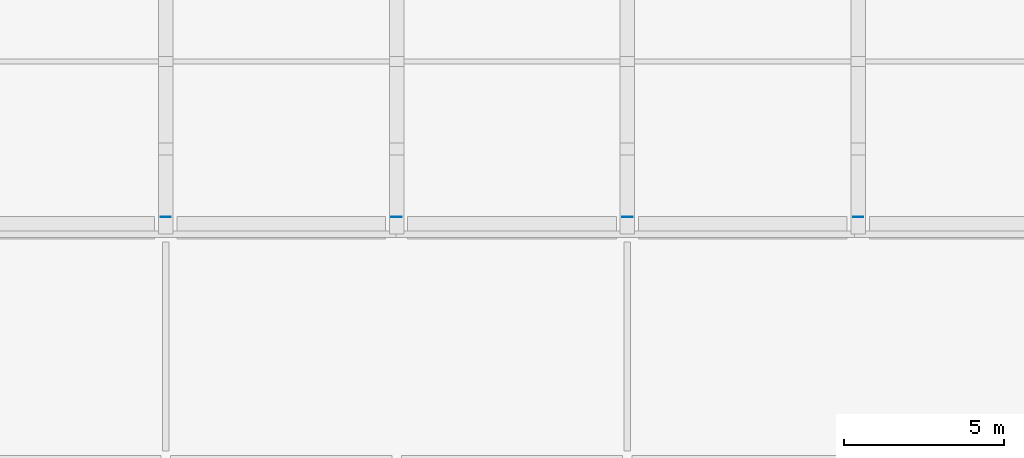
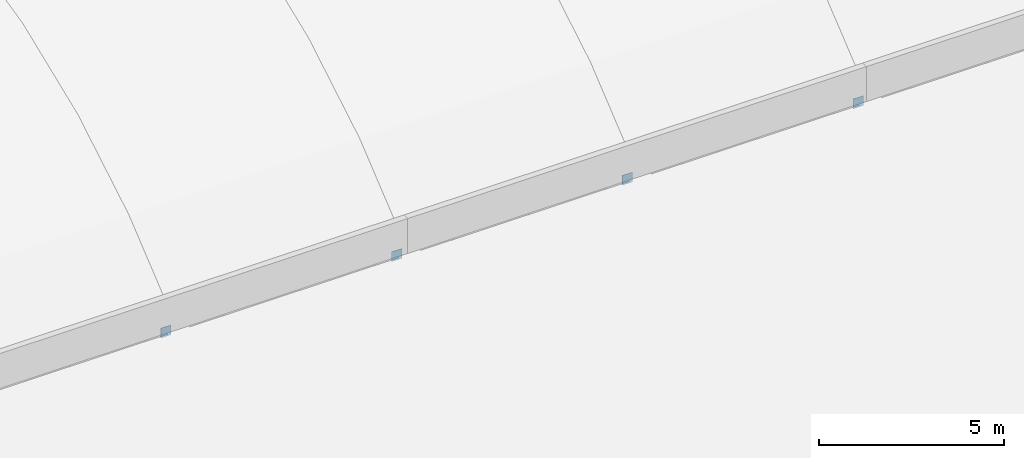
# One storey, part 43 of 71: 4 plates.
"""IFC4 building model written with IfcOpenShell, lengths in metres."""

import ifcopenshell
import ifcopenshell.guid

model = None  # the IFC model being written
_history = None  # IfcOwnerHistory: only IFC2X3 demands one
_inside = {}  # id of a spatial element -> (the spatial element, [elements in it])
_under = {}  # id of a project, library or spatial element -> (it, [spatial elements below it])
_declared = {}  # id of a project -> (the project, [libraries it declares])
_typed = {}  # id of a type object -> (the type object, [elements of that type])
_made_of = {}  # id of a material, layer set ... -> (it, [elements and type objects made of it])


def new_model(schema):
    """Start an empty IFC model of exactly this schema.

    Asked for "IFC4X3", IfcOpenShell would pick the latest addendum, in which some entities
    have other attributes; the version numbers below select the first issue.
    IFC2X3 requires an IfcOwnerHistory on every rooted entity: one is made here for all.
    """
    global model, _history
    if schema == "IFC4X3":
        model = ifcopenshell.file(schema_version=(4, 3, 0, 0))
    else:
        model = ifcopenshell.file(schema=schema)
    _inside.clear()
    _under.clear()
    _declared.clear()
    _typed.clear()
    _made_of.clear()
    _history = None
    if model.schema == "IFC2X3":
        org = make("IfcOrganization", Name="unknown")
        user = make(
            "IfcPersonAndOrganization",
            ThePerson=make("IfcPerson", FamilyName="unknown"),
            TheOrganization=org,
        )
        app = make(
            "IfcApplication",
            ApplicationDeveloper=org,
            Version="unknown",
            ApplicationFullName="unknown",
            ApplicationIdentifier="unknown",
        )
        _history = make(
            "IfcOwnerHistory",
            OwningUser=user,
            OwningApplication=app,
            ChangeAction="ADDED",
            CreationDate=0,
        )
    return model


def make(cls, **values):
    """One entity of the class cls with the attributes given. An attribute that is None is left unset."""
    return model.create_entity(
        cls, **{name: value for name, value in values.items() if value is not None}
    )


def rooted(cls, **values):
    """An entity with a GlobalId (a new one), such as an element, a storey or a relation."""
    return make(cls, GlobalId=ifcopenshell.guid.new(), OwnerHistory=_history, **values)


def si_unit(unit_type, name, prefix=None):
    """IfcSIUnit, for example si_unit("LENGTHUNIT", "METRE", prefix="MILLI")."""
    return make("IfcSIUnit", UnitType=unit_type, Prefix=prefix, Name=name)


def assignment(units):
    """IfcUnitAssignment: the units of a project."""
    return None if units is None else make("IfcUnitAssignment", Units=units)


def point(xyz):
    """IfcCartesianPoint."""
    return None if xyz is None else make("IfcCartesianPoint", Coordinates=xyz)


def direction(xyz):
    """IfcDirection."""
    return None if xyz is None else make("IfcDirection", DirectionRatios=xyz)


def frame(location, z_axis=None, x_axis=None):
    """IfcAxis2Placement3D, a coordinate frame: its origin and axes. An axis left out is left unset."""
    return make(
        "IfcAxis2Placement3D",
        Location=point(location),
        Axis=direction(z_axis),
        RefDirection=direction(x_axis),
    )


def frame_2d(location, x_axis=None):
    """IfcAxis2Placement2D, a coordinate frame in the plane: its origin and x axis."""
    return make(
        "IfcAxis2Placement2D", Location=point(location), RefDirection=direction(x_axis)
    )


def origin():
    """The frame at (0, 0, 0) with its axes left unset."""
    return frame((0.0, 0.0, 0.0))


def origin_2d():
    """The frame at (0, 0) in the plane with its x axis left unset."""
    return frame_2d((0.0, 0.0))


def place(relative_to, where):
    """IfcLocalPlacement: puts the frame where relative to a parent placement (None: the world)."""
    return make(
        "IfcLocalPlacement", PlacementRelTo=relative_to, RelativePlacement=where
    )


def context(
    kind, dimensions, precision=None, world=None, true_north=None, identifier=None
):
    """IfcGeometricRepresentationContext, for example the 3D "Model" context."""
    return make(
        "IfcGeometricRepresentationContext",
        ContextIdentifier=identifier,
        ContextType=kind,
        CoordinateSpaceDimension=dimensions,
        Precision=precision,
        WorldCoordinateSystem=world,
        TrueNorth=true_north,
    )


def subcontext(parent, identifier, kind, view, scale=None):
    """IfcGeometricRepresentationSubContext, for example "Body" below "Model"."""
    return make(
        "IfcGeometricRepresentationSubContext",
        ContextIdentifier=identifier,
        ContextType=kind,
        ParentContext=parent,
        TargetScale=scale,
        TargetView=view,
    )


def project(units=None, contexts=None):
    """IfcProject with its units and contexts."""
    return rooted(
        "IfcProject",
        Name="project",
        RepresentationContexts=contexts,
        UnitsInContext=assignment(units),
    )


def spatial(cls, under=None, at=None, **own):
    """A site, building, storey or space (cls), placed at a placement, below another one or the project."""
    s = rooted(cls, ObjectPlacement=at, **own)
    if under is not None:
        _under.setdefault(under.id(), (under, []))[1].append(s)
    return s


def profile(cls, at=None, kind="AREA", **sizes):
    """A parametric profile (cls). Its sizes go by their IFC names, for example OverallWidth=200.0."""
    return make(cls, ProfileType=kind, Position=at, **sizes)


def rectangle(**sizes):
    """IfcRectangleProfileDef."""
    return profile("IfcRectangleProfileDef", **sizes)


def extrude(swept, where, along, depth):
    """IfcExtrudedAreaSolid: the profile swept, set in the frame where, extruded along a direction by depth."""
    return make(
        "IfcExtrudedAreaSolid",
        SweptArea=swept,
        Position=where,
        ExtrudedDirection=direction(along),
        Depth=depth,
    )


def shape(context_of_items, identifier, shape_type, items):
    """IfcShapeRepresentation: the items that make up one representation, for example the "Body"."""
    return make(
        "IfcShapeRepresentation",
        ContextOfItems=context_of_items,
        RepresentationIdentifier=identifier,
        RepresentationType=shape_type,
        Items=items,
    )


def material(Name=None, Category=None):
    """IfcMaterial."""
    return make("IfcMaterial", Name=Name, Category=Category)


def layer(
    of_material, thickness, ventilated=None, Name=None, Category=None, Priority=None
):
    """IfcMaterialLayer: one layer of a wall or slab, of a material (None: an air gap)."""
    return make(
        "IfcMaterialLayer",
        Material=of_material,
        LayerThickness=thickness,
        IsVentilated=ventilated,
        Name=Name,
        Category=Category,
        Priority=Priority,
    )


def layer_set(layers, Name=None):
    """IfcMaterialLayerSet."""
    return make("IfcMaterialLayerSet", MaterialLayers=layers, LayerSetName=Name)


def made_of(thing, what):
    """Note that an element or type object is made of a material, layer set ...; save() writes the relation."""
    if what is not None:
        _made_of.setdefault(what.id(), (what, []))[1].append(thing)
    return thing


def type_object(cls, material=None, **own):
    """A type object (cls), such as IfcWallType, which elements share."""
    return made_of(rooted(cls, **own), material)


def element(
    cls,
    number,
    at=None,
    inside=None,
    cuts=None,
    type_object=None,
    material=None,
    context=None,
    identifier="Body",
    shape_type=None,
    held_by="IfcProductDefinitionShape",
    body=None,
    shapes=None,
    **own,
):
    """One element of the class cls, such as IfcWall. Its Tag is "e" and its number.

    at: its placement. inside: the storey or other place that contains it. cuts: it is an
    opening in that element (IfcRelVoidsElement). A single representation is given by context,
    identifier, shape_type and body (its items); several are given by shapes. held_by: the class
    of the entity that holds the representations. save() writes the other relations.
    """
    e = rooted(cls, Tag="e%d" % number, ObjectPlacement=at, **own)
    if body is not None:
        shapes = [shape(context, identifier, shape_type, body)]
    if shapes is not None:
        e.Representation = make(held_by, Representations=shapes)
    if inside is not None:
        _inside.setdefault(inside.id(), (inside, []))[1].append(e)
    if cuts is not None:
        rooted(
            "IfcRelVoidsElement", RelatingBuildingElement=cuts, RelatedOpeningElement=e
        )
    if type_object is not None:
        _typed.setdefault(type_object.id(), (type_object, []))[1].append(e)
    return made_of(e, material)


def aggregate(whole, parts):
    """IfcRelAggregates: a whole, such as a stair, and the parts it consists of."""
    return rooted("IfcRelAggregates", RelatingObject=whole, RelatedObjects=parts)


def save(model, path):
    """Write the relations noted so far, then the file.

    IfcRelAggregates (storeys below a building ...), IfcRelContainedInSpatialStructure (elements
    in a storey), IfcRelDefinesByType, IfcRelAssociatesMaterial and IfcRelDeclares: one each for
    every whole, place, type object, material and project.
    """
    for whole, parts in _under.values():
        aggregate(whole, parts)
    for where, things in _inside.values():
        rooted(
            "IfcRelContainedInSpatialStructure",
            RelatedElements=things,
            RelatingStructure=where,
        )
    for kind, things in _typed.values():
        rooted("IfcRelDefinesByType", RelatedObjects=things, RelatingType=kind)
    for what, things in _made_of.values():
        rooted("IfcRelAssociatesMaterial", RelatedObjects=things, RelatingMaterial=what)
    for by, libraries in _declared.values():
        rooted("IfcRelDeclares", RelatingContext=by, RelatedDefinitions=libraries)
    model.write(path)


model = new_model("IFC4")

# Units and contexts
model_context = context("Model", 3, precision=1e-05, world=origin(), true_north=direction((0.0, 1.0)))
body_context = subcontext(model_context, "Body", "Model", "MODEL_VIEW")
ifc_project = project(units=[si_unit("LENGTHUNIT", "METRE"), si_unit("AREAUNIT", "SQUARE_METRE"), si_unit("VOLUMEUNIT", "CUBIC_METRE"), si_unit("PLANEANGLEUNIT", "RADIAN"), si_unit("MASSUNIT", "GRAM", prefix="KILO")], contexts=[model_context])

# Site, building, storey
site_placement = place(None, origin())
site = spatial("IfcSite", under=ifc_project, at=site_placement, CompositionType="ELEMENT")
building_placement = place(site_placement, origin())
building = spatial("IfcBuilding", under=site, at=building_placement, Name="Sardonyx Promenade Sports Hall", CompositionType="ELEMENT")
storey_placement = place(building_placement, frame((0.0, 0.0, 16.0)))
storey = spatial("IfcBuildingStorey", under=building, at=storey_placement, Name="L03", CompositionType="ELEMENT", Elevation=16.0)

# Plates
ifc_material = material(Name="Steel S355JR", Category="steel")
ifc_layer = layer(ifc_material, 0.01611328125)
ifc_layer_set = layer_set([ifc_layer], Name="Plt_EndCap_EC2")
plate_type = type_object("IfcPlateType", Name="Plt_EndCap_EC2", PredefinedType="USERDEFINED", material=ifc_layer_set)
for number, where, z_axis, x_axis, name in (
    (1, (129.60009765625, 50.741943359375, -0.60986328125), (0.0, 0.0, 1.0), (1.0, 0.0, 0.0), "Tie-rod end-cap plate V2 19 S"),
    (2, (136.800048828125, 50.741943359375, -0.60986328125), (0.0, 0.0, 1.0), (1.0, 0.0, 0.0), "Tie-rod end-cap plate V2 20 S"),
    (3, (144.0, 50.741943359375, -0.60986328125), (0.0, 0.0, 1.0), (1.0, 0.0, 0.0), "Tie-rod end-cap plate V2 21 S"),
    (4, (151.199951171875, 50.741943359375, -0.60986328125), (0.0, 0.0, 1.0), (1.0, 0.0, 0.0), "Tie-rod end-cap plate V2 22 S"),
):
    element("IfcPlate", number, at=place(storey_placement, frame(where, z_axis=z_axis, x_axis=x_axis)), inside=storey, type_object=plate_type, Name=name, ObjectType="END CAP PLATE", PredefinedType="USERDEFINED", context=body_context, shape_type="SweptSolid", body=[
        extrude(rectangle(XDim=0.320068359375, YDim=0.01611328125, at=origin_2d()), origin(), (0.0, 0.0, 1.0), 0.320068359375),
    ])

save(model, "model.ifc")
